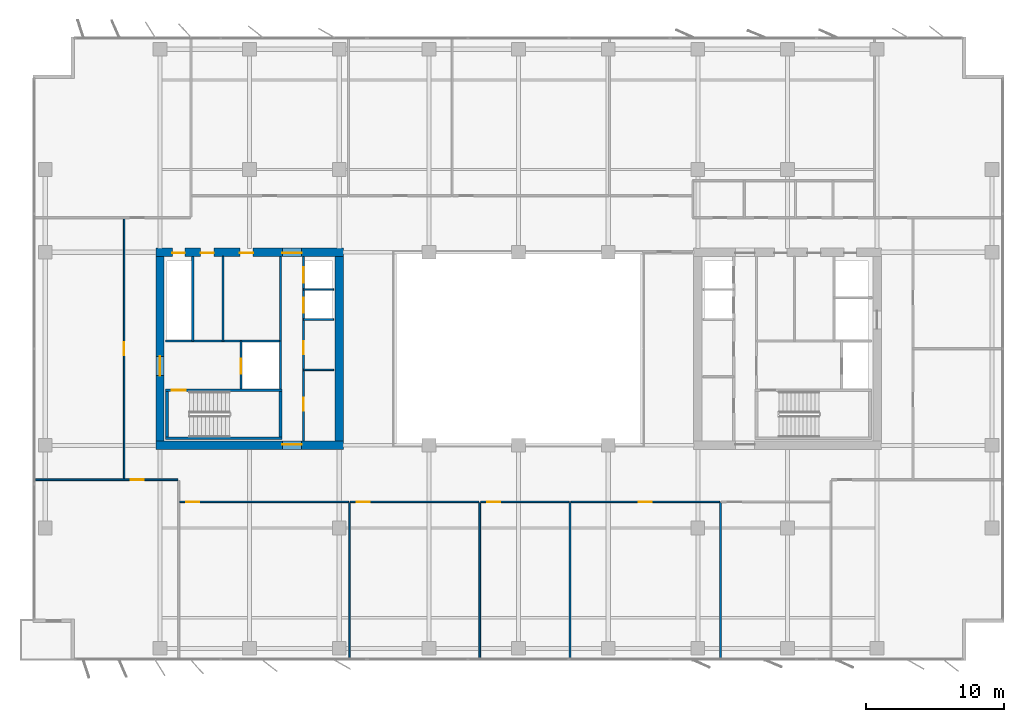
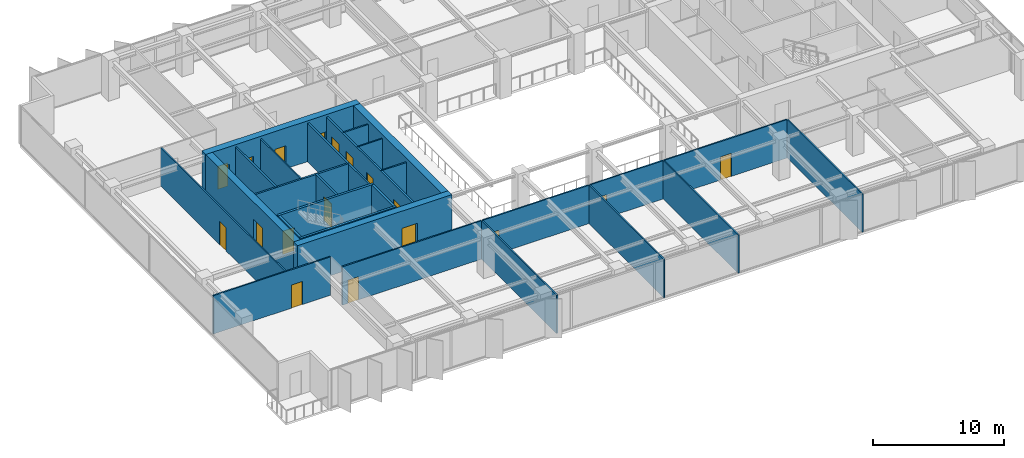
# One storey, part 15 of 22: 28 walls, 18 doors, 18 openings.
"""IFC4 building model written with IfcOpenShell, lengths in metres."""

from ifc_helpers import new_model, si_unit, direction, frame, frame_2d, origin, place, context, subcontext, project, spatial, rectangle, extrude, material, layer, layer_set, type_object, element, fill, save


model = new_model("IFC4")

# Units and contexts
model_context = context("Model", 3, precision=1e-05, world=origin(), true_north=direction((0.0, 1.0)))
body_context = subcontext(model_context, "Body", "Model", "MODEL_VIEW")
ifc_project = project(units=[si_unit("LENGTHUNIT", "METRE"), si_unit("AREAUNIT", "SQUARE_METRE"), si_unit("VOLUMEUNIT", "CUBIC_METRE"), si_unit("PLANEANGLEUNIT", "RADIAN"), si_unit("MASSUNIT", "GRAM", prefix="KILO")], contexts=[model_context])

# Site, building, storey
site_placement = place(None, origin())
site = spatial("IfcSite", under=ifc_project, at=site_placement, CompositionType="ELEMENT")
building_placement = place(site_placement, origin())
building = spatial("IfcBuilding", under=site, at=building_placement, Name="Putna Gate Headquarters", CompositionType="ELEMENT")
storey_placement = place(building_placement, frame((0.0, 0.0, 170.800048828125)))
storey = spatial("IfcBuildingStorey", under=building, at=storey_placement, Name="L42", CompositionType="ELEMENT", Elevation=170.800048828125)

# Wall, opening, door
ifc_material_1 = material(Name="Concrete C50/60", Category="concrete")
ifc_layer_1 = layer(ifc_material_1, 0.60009765625)
ifc_layer_set_1 = layer_set([ifc_layer_1], Name="Concrete C50/60")
wall_type_1 = type_object("IfcWallType", Name="WALL-CORE-600", PredefinedType="SHEAR", material=ifc_layer_set_1)
wall_1_placement = place(storey_placement, frame((12.699951171875, 19.0, 0.0), z_axis=(0.0, 0.0, 1.0), x_axis=(1.0, 0.0, 0.0)))
wall_1 = element("IfcWall", 1, at=wall_1_placement, inside=storey, type_object=wall_type_1, Name="L42 WC Split Core Shear Wall S", PredefinedType="SHEAR", context=body_context, shape_type="SweptSolid", body=[
    extrude(rectangle(XDim=13.60009765625, YDim=0.60009765625, at=frame_2d((6.800048828125, 0.0))), origin(), (0.0, 0.0, 1.0), 3.800048828125),
])
opening_1_placement = place(wall_1_placement, frame((9.179931640625, 0.0, 0.0)))
opening_1 = element("IfcOpeningElement", 2, at=opening_1_placement, cuts=wall_1, Name="Opening FDD-140", PredefinedType="OPENING", context=body_context, shape_type="SweptSolid", body=[
    extrude(rectangle(XDim=1.39990234375, YDim=2.199951171875, at=frame_2d((0.699951171875, 1.10009765625))), frame((0.0, 0.31005859375, 0.0), z_axis=(0.0, -1.0, 0.0), x_axis=(1.0, 0.0, 0.0)), (0.0, 0.0, 1.0), 0.6201171875),
])
ifc_material_2 = material(Name="Double steel fire door", Category="steel")
door_type_1 = type_object("IfcDoorType", Name="DOOR-FIRE-DBL-1400", OperationType="DOUBLE_DOOR_SINGLE_SWING", PredefinedType="DOOR", material=ifc_material_2)
door_1_placement = place(opening_1_placement, origin())
door_1 = element("IfcDoor", 3, at=door_1_placement, inside=storey, type_object=door_type_1, Name="L42 West Lift Lobby South Door", OperationType="DOUBLE_DOOR_SINGLE_SWING", OverallHeight=2.199951171875, OverallWidth=1.39990234375, PredefinedType="DOOR", context=body_context, shape_type="SweptSolid", body=[
    extrude(rectangle(XDim=1.39990234375, YDim=2.199951171875, at=frame_2d((0.699951171875, 1.10009765625))), frame((0.0, 0.0751953125, 0.0), z_axis=(0.0, -1.0, 0.0), x_axis=(1.0, 0.0, 0.0)), (0.0, 0.0, 1.0), 0.050048828125),
])
fill(opening_1, door_1)

# Wall, openings, doors
wall_2_placement = place(storey_placement, frame((12.699951171875, 33.0, 0.0), z_axis=(0.0, 0.0, 1.0), x_axis=(1.0, 0.0, 0.0)))
wall_2 = element("IfcWall", 4, at=wall_2_placement, inside=storey, type_object=wall_type_1, Name="L42 WC Split Core Shear Wall N", PredefinedType="SHEAR", context=body_context, shape_type="SweptSolid", body=[
    extrude(rectangle(XDim=13.60009765625, YDim=0.60009765625, at=frame_2d((6.800048828125, 0.0))), origin(), (0.0, 0.0, 1.0), 3.800048828125),
])
opening_2_placement = place(wall_2_placement, frame((1.199951171875, 0.0, 0.0)))
opening_2 = element("IfcOpeningElement", 5, at=opening_2_placement, cuts=wall_2, Name="Opening RD-90", PredefinedType="OPENING", context=body_context, shape_type="SweptSolid", body=[
    extrude(rectangle(XDim=0.89990234375, YDim=2.14990234375, at=frame_2d((0.449951171875, 1.074951171875))), frame((0.0, 0.31005859375, 0.0), z_axis=(0.0, -1.0, 0.0), x_axis=(1.0, 0.0, 0.0)), (0.0, 0.0, 1.0), 0.6201171875),
])
opening_3_placement = place(wall_2_placement, frame((3.25, 0.0, 0.0)))
opening_3 = element("IfcOpeningElement", 6, at=opening_3_placement, cuts=wall_2, Name="Opening IDS-95", PredefinedType="OPENING", context=body_context, shape_type="SweptSolid", body=[
    extrude(rectangle(XDim=0.949951171875, YDim=2.14990234375, at=frame_2d((0.47509765625, 1.074951171875))), frame((0.0, 0.31005859375, 0.0), z_axis=(0.0, -1.0, 0.0), x_axis=(1.0, 0.0, 0.0)), (0.0, 0.0, 1.0), 0.6201171875),
])
opening_4_placement = place(wall_2_placement, frame((6.10009765625, 0.0, 0.0)))
opening_4 = element("IfcOpeningElement", 7, at=opening_4_placement, cuts=wall_2, Name="Opening IDS-95", PredefinedType="OPENING", context=body_context, shape_type="SweptSolid", body=[
    extrude(rectangle(XDim=0.949951171875, YDim=2.14990234375, at=frame_2d((0.47509765625, 1.074951171875))), frame((0.0, 0.31005859375, 0.0), z_axis=(0.0, -1.0, 0.0), x_axis=(1.0, 0.0, 0.0)), (0.0, 0.0, 1.0), 0.6201171875),
])
opening_5_placement = place(wall_2_placement, frame((9.179931640625, 0.0, 0.0)))
opening_5 = element("IfcOpeningElement", 8, at=opening_5_placement, cuts=wall_2, Name="Opening FDD-140", PredefinedType="OPENING", context=body_context, shape_type="SweptSolid", body=[
    extrude(rectangle(XDim=1.39990234375, YDim=2.199951171875, at=frame_2d((0.699951171875, 1.10009765625))), frame((0.0, 0.31005859375, 0.0), z_axis=(0.0, -1.0, 0.0), x_axis=(1.0, 0.0, 0.0)), (0.0, 0.0, 1.0), 0.6201171875),
])
door_2_placement = place(opening_5_placement, origin())
door_2 = element("IfcDoor", 9, at=door_2_placement, inside=storey, type_object=door_type_1, Name="L42 West Lift Lobby North Door", OperationType="DOUBLE_DOOR_SINGLE_SWING", OverallHeight=2.199951171875, OverallWidth=1.39990234375, PredefinedType="DOOR", context=body_context, shape_type="SweptSolid", body=[
    extrude(rectangle(XDim=1.39990234375, YDim=2.199951171875, at=frame_2d((0.699951171875, 1.10009765625))), frame((0.0, -0.02490234375, 0.0), z_axis=(0.0, -1.0, 0.0), x_axis=(1.0, 0.0, 0.0)), (0.0, 0.0, 1.0), 0.050048828125),
])
fill(opening_5, door_2)
ifc_material_3 = material(Name="Fire-rated service timber door", Category="wood")
door_type_2 = type_object("IfcDoorType", Name="DOOR-INT-950", OperationType="NOTDEFINED", PredefinedType="DOOR", material=ifc_material_3)
door_3_placement = place(opening_3_placement, origin())
door_3 = element("IfcDoor", 10, at=door_3_placement, inside=storey, type_object=door_type_2, Name="L42 Archive Store Door", OperationType="SINGLE_SWING_LEFT", OverallHeight=2.14990234375, OverallWidth=0.949951171875, PredefinedType="DOOR", context=body_context, shape_type="SweptSolid", body=[
    extrude(rectangle(XDim=0.949951171875, YDim=2.14990234375, at=frame_2d((0.47509765625, 1.074951171875))), frame((0.0, -0.02490234375, 0.0), z_axis=(0.0, -1.0, 0.0), x_axis=(1.0, 0.0, 0.0)), (0.0, 0.0, 1.0), 0.050048828125),
])
fill(opening_3, door_3)
door_4_placement = place(opening_4_placement, origin())
door_4 = element("IfcDoor", 11, at=door_4_placement, inside=storey, type_object=door_type_2, Name="L42 Switchgear Plant Door", OperationType="SINGLE_SWING_RIGHT", OverallHeight=2.14990234375, OverallWidth=0.949951171875, PredefinedType="DOOR", context=body_context, shape_type="SweptSolid", body=[
    extrude(rectangle(XDim=0.949951171875, YDim=2.14990234375, at=frame_2d((0.47509765625, 1.074951171875))), frame((0.0, -0.02490234375, 0.0), z_axis=(0.0, -1.0, 0.0), x_axis=(1.0, 0.0, 0.0)), (0.0, 0.0, 1.0), 0.050048828125),
])
fill(opening_4, door_4)
ifc_material_4 = material(Name="Steel riser access fire door", Category="steel")
door_type_3 = type_object("IfcDoorType", Name="DOOR-RISER-900", OperationType="NOTDEFINED", PredefinedType="DOOR", material=ifc_material_4)
door_5_placement = place(opening_2_placement, origin())
door_5 = element("IfcDoor", 12, at=door_5_placement, inside=storey, type_object=door_type_3, Name="L42 West Riser Access Door", OperationType="SINGLE_SWING_RIGHT", OverallHeight=2.14990234375, OverallWidth=0.89990234375, PredefinedType="DOOR", context=body_context, shape_type="SweptSolid", body=[
    extrude(rectangle(XDim=0.89990234375, YDim=2.14990234375, at=frame_2d((0.449951171875, 1.074951171875))), frame((0.0, -0.02490234375, 0.0), z_axis=(0.0, -1.0, 0.0), x_axis=(1.0, 0.0, 0.0)), (0.0, 0.0, 1.0), 0.050048828125),
])
fill(opening_2, door_5)

# Wall, opening, door
wall_3_placement = place(storey_placement, frame((13.0, 19.300048828125, 0.0), z_axis=(0.0, 0.0, 1.0), x_axis=(0.0, 1.0, 0.0)))
wall_3 = element("IfcWall", 13, at=wall_3_placement, inside=storey, type_object=wall_type_1, Name="L42 WC Split Core Shear Wall W", PredefinedType="SHEAR", context=body_context, shape_type="SweptSolid", body=[
    extrude(rectangle(XDim=13.39990234375, YDim=0.60009765625, at=frame_2d((6.699951171875, 0.0))), origin(), (0.0, 0.0, 1.0), 3.800048828125),
])
opening_6_placement = place(wall_3_placement, frame((4.75, 0.0, 0.0)))
opening_6 = element("IfcOpeningElement", 14, at=opening_6_placement, cuts=wall_3, Name="Opening FDD-140", PredefinedType="OPENING", context=body_context, shape_type="SweptSolid", body=[
    extrude(rectangle(XDim=1.39990234375, YDim=2.199951171875, at=frame_2d((0.699951171875, 1.10009765625))), frame((0.0, 0.31005859375, 0.0), z_axis=(0.0, -1.0, 0.0), x_axis=(1.0, 0.0, 0.0)), (0.0, 0.0, 1.0), 0.6201171875),
])
door_6_placement = place(opening_6_placement, origin())
door_6 = element("IfcDoor", 15, at=door_6_placement, inside=storey, type_object=door_type_1, Name="L42 West Firefighting Lobby Door", OperationType="DOUBLE_DOOR_SINGLE_SWING", OverallHeight=2.199951171875, OverallWidth=1.39990234375, PredefinedType="DOOR", context=body_context, shape_type="SweptSolid", body=[
    extrude(rectangle(XDim=1.39990234375, YDim=2.199951171875, at=frame_2d((0.699951171875, 1.10009765625))), frame((0.0, 0.02490234375, 0.0), z_axis=(0.0, -1.0, 0.0), x_axis=(1.0, 0.0, 0.0)), (0.0, 0.0, 1.0), 0.050048828125),
])
fill(opening_6, door_6)

# Walls
wall_4_placement = place(storey_placement, frame((26.0, 19.300048828125, 0.0), z_axis=(0.0, 0.0, 1.0), x_axis=(0.0, 1.0, 0.0)))
element("IfcWall", 16, at=wall_4_placement, inside=storey, type_object=wall_type_1, Name="L42 WC Split Core Shear Wall E", PredefinedType="SHEAR", context=body_context, shape_type="SweptSolid", body=[
    extrude(rectangle(XDim=13.39990234375, YDim=0.60009765625, at=frame_2d((6.699951171875, 0.0))), origin(), (0.0, 0.0, 1.0), 3.800048828125),
])
ifc_material_5 = material(Name="Acoustic gypsum board on metal stud")
ifc_layer_2 = layer(ifc_material_5, 0.1201171875)
ifc_layer_set_2 = layer_set([ifc_layer_2], Name="Acoustic gypsum board on metal stud")
wall_type_2 = type_object("IfcWallType", Name="WALL-PART-120", PredefinedType="PARTITIONING", material=ifc_layer_set_2)
for number, where, z_axis, x_axis, name in (
    (17, (26.736083984375, 3.419921875, 0.0), (0.0, 0.0, 1.0), (0.0, 1.0, 0.0), "L42 Interior Wall PART-L42-SB-DIV-02"),
    (18, (36.19140625, 3.419921875, 0.0), (0.0, 0.0, 1.0), (0.0, 1.0, 0.0), "L42 Interior Wall PART-L42-SB-DIV-03"),
    (19, (42.72607421875, 3.419921875, 0.0), (0.0, 0.0, 1.0), (0.0, 1.0, 0.0), "L42 Interior Wall PART-L42-SB-DIV-04"),
    (20, (53.6455078125, 3.419921875, 0.0), (0.0, 0.0, 1.0), (0.0, 1.0, 0.0), "L42 Interior Wall PART-L42-SB-DIV-05"),
):
    element("IfcWall", number, at=place(storey_placement, frame(where, z_axis=z_axis, x_axis=x_axis)), inside=storey, type_object=wall_type_2, Name=name, PredefinedType="PARTITIONING", context=body_context, shape_type="SweptSolid", body=[
        extrude(rectangle(XDim=11.420166015625, YDim=0.1201171875, at=frame_2d((5.7099609375, 0.0))), origin(), (0.0, 0.0, 1.0), 3.572021484375),
    ])
ifc_material_6 = material(Name="Fire-rated shaftwall gypsum board on metal stud")
ifc_layer_3 = layer(ifc_material_6, 0.1201171875)
ifc_layer_set_3 = layer_set([ifc_layer_3], Name="Fire-rated shaftwall gypsum board on metal stud")
wall_type_3 = type_object("IfcWallType", Name="WALL-PART-120-EI120", PredefinedType="PARTITIONING", material=ifc_layer_set_3)
wall_5_placement = place(storey_placement, frame((23.39990234375, 30.31005859375, 0.0), z_axis=(0.0, 0.0, 1.0), x_axis=(1.0, 0.0, 0.0)))
element("IfcWall", 21, at=wall_5_placement, inside=storey, type_object=wall_type_3, Name="L42 Interior Wall CWINT-L42-WC-LF09-DIV", PredefinedType="PARTITIONING", context=body_context, shape_type="SweptSolid", body=[
    extrude(rectangle(XDim=2.2001953125, YDim=0.1201171875, at=frame_2d((1.10009765625, 0.0))), origin(), (0.0, 0.0, 1.0), 3.572021484375),
])
ifc_material_7 = material(Name="Fire-rated gypsum board on metal stud")
ifc_layer_4 = layer(ifc_material_7, 0.1201171875)
ifc_layer_set_4 = layer_set([ifc_layer_4], Name="Fire-rated gypsum board on metal stud")
wall_type_4 = type_object("IfcWallType", Name="WALL-PART-120-RATED", PredefinedType="PARTITIONING", material=ifc_layer_set_4)
wall_6_placement = place(storey_placement, frame((17.570068359375, 26.56005859375, 0.0), z_axis=(0.0, 0.0, 1.0), x_axis=(0.0, 1.0, 0.0)))
element("IfcWall", 22, at=wall_6_placement, inside=storey, type_object=wall_type_4, Name="L42 Interior Wall CWINT-L42-WC-K1-DIV", PredefinedType="PARTITIONING", context=body_context, shape_type="SweptSolid", body=[
    extrude(rectangle(XDim=6.139892578125, YDim=0.1201171875, at=frame_2d((3.06982421875, 0.0))), origin(), (0.0, 0.0, 1.0), 3.572021484375),
])
for number, where, z_axis, x_axis, name in (
    (23, (23.39990234375, 24.469970703125, 0.0), (0.0, 0.0, 1.0), (1.0, 0.0, 0.0), "L42 Interior Wall CWINT-L42-WC-REUSE-DIV"),
    (24, (23.39990234375, 28.1201171875, 0.0), (0.0, 0.0, 1.0), (1.0, 0.0, 0.0), "L42 Interior Wall CWINT-L42-WC-LF06-DIV"),
):
    element("IfcWall", number, at=place(storey_placement, frame(where, z_axis=z_axis, x_axis=x_axis)), inside=storey, type_object=wall_type_4, Name=name, PredefinedType="PARTITIONING", context=body_context, shape_type="SweptSolid", body=[
        extrude(rectangle(XDim=2.2001953125, YDim=0.1201171875, at=frame_2d((1.10009765625, 0.0))), origin(), (0.0, 0.0, 1.0), 3.572021484375),
    ])

# Wall, opening, door
wall_7_placement = place(storey_placement, frame((3.97998046875, 16.5, 0.0), z_axis=(0.0, 0.0, 1.0), x_axis=(1.0, 0.0, 0.0)))
wall_7 = element("IfcWall", 25, at=wall_7_placement, inside=storey, type_object=wall_type_4, Name="L42 Interior Wall PART-L42-SB-CW-01", PredefinedType="PARTITIONING", context=body_context, shape_type="SweptSolid", body=[
    extrude(rectangle(XDim=10.31982421875, YDim=0.1201171875, at=frame_2d((5.159912109375, 0.0))), origin(), (0.0, 0.0, 1.0), 3.572021484375),
])
opening_7_placement = place(wall_7_placement, frame((6.89990234375, 0.0, 0.0)))
opening_7 = element("IfcOpeningElement", 26, at=opening_7_placement, cuts=wall_7, Name="Opening FD-95", PredefinedType="OPENING", context=body_context, shape_type="SweptSolid", body=[
    extrude(rectangle(XDim=0.949951171875, YDim=2.14990234375, at=frame_2d((0.47509765625, 1.074951171875))), frame((0.0, 0.070068359375, 0.0), z_axis=(0.0, -1.0, 0.0), x_axis=(1.0, 0.0, 0.0)), (0.0, 0.0, 1.0), 0.14013671875),
])
ifc_material_8 = material(Name="Acoustic timber fire door", Category="wood")
door_type_4 = type_object("IfcDoorType", Name="DOOR-FIRE-950", OperationType="NOTDEFINED", PredefinedType="DOOR", material=ifc_material_8)
door_7_placement = place(opening_7_placement, origin())
door_7 = element("IfcDoor", 27, at=door_7_placement, inside=storey, type_object=door_type_4, Name="L42 Cellular Office 3 Door", OperationType="SINGLE_SWING_RIGHT", OverallHeight=2.14990234375, OverallWidth=0.949951171875, PredefinedType="DOOR", context=body_context, shape_type="SweptSolid", body=[
    extrude(rectangle(XDim=0.949951171875, YDim=2.14990234375, at=frame_2d((0.47509765625, 1.074951171875))), frame((0.0, 0.02490234375, 0.0), z_axis=(0.0, -1.0, 0.0), x_axis=(1.0, 0.0, 0.0)), (0.0, 0.0, 1.0), 0.050048828125),
])
fill(opening_7, door_7)

wall_8_placement = place(storey_placement, frame((14.419921875, 14.89990234375, 0.0), z_axis=(0.0, 0.0, 1.0), x_axis=(1.0, 0.0, 0.0)))
wall_8 = element("IfcWall", 28, at=wall_8_placement, inside=storey, type_object=wall_type_4, Name="L42 Interior Wall PART-L42-SB-CW-02", PredefinedType="PARTITIONING", context=body_context, shape_type="SweptSolid", body=[
    extrude(rectangle(XDim=12.256103515625, YDim=0.1201171875, at=frame_2d((6.1279296875, 0.0))), origin(), (0.0, 0.0, 1.0), 3.572021484375),
])
opening_8_placement = place(wall_8_placement, frame((0.47998046875, 0.0, 0.0)))
opening_8 = element("IfcOpeningElement", 29, at=opening_8_placement, cuts=wall_8, Name="Opening FD-95", PredefinedType="OPENING", context=body_context, shape_type="SweptSolid", body=[
    extrude(rectangle(XDim=0.949951171875, YDim=2.14990234375, at=frame_2d((0.47509765625, 1.074951171875))), frame((0.0, 0.070068359375, 0.0), z_axis=(0.0, -1.0, 0.0), x_axis=(1.0, 0.0, 0.0)), (0.0, 0.0, 1.0), 0.14013671875),
])
door_8_placement = place(opening_8_placement, origin())
door_8 = element("IfcDoor", 30, at=door_8_placement, inside=storey, type_object=door_type_4, Name="L42 Conference Meeting Room 3 Door", OperationType="SINGLE_SWING_LEFT", OverallHeight=2.14990234375, OverallWidth=0.949951171875, PredefinedType="DOOR", context=body_context, shape_type="SweptSolid", body=[
    extrude(rectangle(XDim=0.949951171875, YDim=2.14990234375, at=frame_2d((0.47509765625, 1.074951171875))), frame((0.0, 0.02490234375, 0.0), z_axis=(0.0, -1.0, 0.0), x_axis=(1.0, 0.0, 0.0)), (0.0, 0.0, 1.0), 0.050048828125),
])
fill(opening_8, door_8)

wall_9_placement = place(storey_placement, frame((26.7958984375, 14.89990234375, 0.0), z_axis=(0.0, 0.0, 1.0), x_axis=(1.0, 0.0, 0.0)))
wall_9 = element("IfcWall", 31, at=wall_9_placement, inside=storey, type_object=wall_type_4, Name="L42 Interior Wall PART-L42-SB-CW-03", PredefinedType="PARTITIONING", context=body_context, shape_type="SweptSolid", body=[
    extrude(rectangle(XDim=9.33544921875, YDim=0.1201171875, at=frame_2d((4.667724609375, 0.0))), origin(), (0.0, 0.0, 1.0), 3.572021484375),
])
opening_9_placement = place(wall_9_placement, frame((0.47998046875, 0.0, 0.0)))
opening_9 = element("IfcOpeningElement", 32, at=opening_9_placement, cuts=wall_9, Name="Opening FD-95", PredefinedType="OPENING", context=body_context, shape_type="SweptSolid", body=[
    extrude(rectangle(XDim=0.949951171875, YDim=2.14990234375, at=frame_2d((0.47509765625, 1.074951171875))), frame((0.0, 0.070068359375, 0.0), z_axis=(0.0, -1.0, 0.0), x_axis=(1.0, 0.0, 0.0)), (0.0, 0.0, 1.0), 0.14013671875),
])
door_9_placement = place(opening_9_placement, origin())
door_9 = element("IfcDoor", 33, at=door_9_placement, inside=storey, type_object=door_type_4, Name="L42 Conference Meeting Room 4 Door", OperationType="SINGLE_SWING_RIGHT", OverallHeight=2.14990234375, OverallWidth=0.949951171875, PredefinedType="DOOR", context=body_context, shape_type="SweptSolid", body=[
    extrude(rectangle(XDim=0.949951171875, YDim=2.14990234375, at=frame_2d((0.47509765625, 1.074951171875))), frame((0.0, 0.02490234375, 0.0), z_axis=(0.0, -1.0, 0.0), x_axis=(1.0, 0.0, 0.0)), (0.0, 0.0, 1.0), 0.050048828125),
])
fill(opening_9, door_9)

wall_10_placement = place(storey_placement, frame((36.25146484375, 14.89990234375, 0.0), z_axis=(0.0, 0.0, 1.0), x_axis=(1.0, 0.0, 0.0)))
wall_10 = element("IfcWall", 34, at=wall_10_placement, inside=storey, type_object=wall_type_4, Name="L42 Interior Wall PART-L42-SB-CW-04", PredefinedType="PARTITIONING", context=body_context, shape_type="SweptSolid", body=[
    extrude(rectangle(XDim=6.41455078125, YDim=0.1201171875, at=frame_2d((3.207275390625, 0.0))), origin(), (0.0, 0.0, 1.0), 3.572021484375),
])
opening_10_placement = place(wall_10_placement, frame((0.47998046875, 0.0, 0.0)))
opening_10 = element("IfcOpeningElement", 35, at=opening_10_placement, cuts=wall_10, Name="Opening FD-95", PredefinedType="OPENING", context=body_context, shape_type="SweptSolid", body=[
    extrude(rectangle(XDim=0.949951171875, YDim=2.14990234375, at=frame_2d((0.47509765625, 1.074951171875))), frame((0.0, 0.070068359375, 0.0), z_axis=(0.0, -1.0, 0.0), x_axis=(1.0, 0.0, 0.0)), (0.0, 0.0, 1.0), 0.14013671875),
])
door_10_placement = place(opening_10_placement, origin())
door_10 = element("IfcDoor", 36, at=door_10_placement, inside=storey, type_object=door_type_4, Name="L42 Collaborative Breakout Lounge 1 Door", OperationType="SINGLE_SWING_LEFT", OverallHeight=2.14990234375, OverallWidth=0.949951171875, PredefinedType="DOOR", context=body_context, shape_type="SweptSolid", body=[
    extrude(rectangle(XDim=0.949951171875, YDim=2.14990234375, at=frame_2d((0.47509765625, 1.074951171875))), frame((0.0, 0.02490234375, 0.0), z_axis=(0.0, -1.0, 0.0), x_axis=(1.0, 0.0, 0.0)), (0.0, 0.0, 1.0), 0.050048828125),
])
fill(opening_10, door_10)

wall_11_placement = place(storey_placement, frame((42.7861328125, 14.89990234375, 0.0), z_axis=(0.0, 0.0, 1.0), x_axis=(1.0, 0.0, 0.0)))
wall_11 = element("IfcWall", 37, at=wall_11_placement, inside=storey, type_object=wall_type_4, Name="L42 Interior Wall PART-L42-SB-CW-05", PredefinedType="PARTITIONING", context=body_context, shape_type="SweptSolid", body=[
    extrude(rectangle(XDim=10.79931640625, YDim=0.1201171875, at=frame_2d((5.399658203125, 0.0))), origin(), (0.0, 0.0, 1.0), 3.572021484375),
])
opening_11_placement = place(wall_11_placement, frame((4.924560546875, 0.0, 0.0)))
opening_11 = element("IfcOpeningElement", 38, at=opening_11_placement, cuts=wall_11, Name="Opening FD-95", PredefinedType="OPENING", context=body_context, shape_type="SweptSolid", body=[
    extrude(rectangle(XDim=0.949951171875, YDim=2.14990234375, at=frame_2d((0.47509765625, 1.074951171875))), frame((0.0, 0.070068359375, 0.0), z_axis=(0.0, -1.0, 0.0), x_axis=(1.0, 0.0, 0.0)), (0.0, 0.0, 1.0), 0.14013671875),
])
door_11_placement = place(opening_11_placement, origin())
door_11 = element("IfcDoor", 39, at=door_11_placement, inside=storey, type_object=door_type_4, Name="L42 Collaborative Breakout Lounge 2 Door", OperationType="SINGLE_SWING_RIGHT", OverallHeight=2.14990234375, OverallWidth=0.949951171875, PredefinedType="DOOR", context=body_context, shape_type="SweptSolid", body=[
    extrude(rectangle(XDim=0.949951171875, YDim=2.14990234375, at=frame_2d((0.47509765625, 1.074951171875))), frame((0.0, 0.02490234375, 0.0), z_axis=(0.0, -1.0, 0.0), x_axis=(1.0, 0.0, 0.0)), (0.0, 0.0, 1.0), 0.050048828125),
])
fill(opening_11, door_11)

wall_12_placement = place(storey_placement, frame((10.39990234375, 16.5, 0.0), z_axis=(0.0, 0.0, 1.0), x_axis=(0.0, 1.0, 0.0)))
wall_12 = element("IfcWall", 40, at=wall_12_placement, inside=storey, type_object=wall_type_4, Name="L42 Interior Wall PART-L42-WW-CW-1", PredefinedType="PARTITIONING", context=body_context, shape_type="SweptSolid", body=[
    extrude(rectangle(XDim=19.0, YDim=0.1201171875, at=frame_2d((9.5, 0.0))), origin(), (0.0, 0.0, 1.0), 3.572021484375),
])
opening_12_placement = place(wall_12_placement, frame((9.02490234375, 0.0, 0.0)))
opening_12 = element("IfcOpeningElement", 41, at=opening_12_placement, cuts=wall_12, Name="Opening FD-95", PredefinedType="OPENING", context=body_context, shape_type="SweptSolid", body=[
    extrude(rectangle(XDim=0.949951171875, YDim=2.14990234375, at=frame_2d((0.47509765625, 1.074951171875))), frame((0.0, 0.070068359375, 0.0), z_axis=(0.0, -1.0, 0.0), x_axis=(1.0, 0.0, 0.0)), (0.0, 0.0, 1.0), 0.14013671875),
])
door_12_placement = place(opening_12_placement, origin())
door_12 = element("IfcDoor", 42, at=door_12_placement, inside=storey, type_object=door_type_4, Name="L42 West Project Meeting Room 1 Door", OperationType="SINGLE_SWING_LEFT", OverallHeight=2.14990234375, OverallWidth=0.949951171875, PredefinedType="DOOR", context=body_context, shape_type="SweptSolid", body=[
    extrude(rectangle(XDim=0.949951171875, YDim=2.14990234375, at=frame_2d((0.47509765625, 1.074951171875))), frame((0.0, 0.02490234375, 0.0), z_axis=(0.0, -1.0, 0.0), x_axis=(1.0, 0.0, 0.0)), (0.0, 0.0, 1.0), 0.050048828125),
])
fill(opening_12, door_12)

# Wall
ifc_material_9 = material(Name="Concrete C40/50", Category="concrete")
ifc_layer_5 = layer(ifc_material_9, 0.159912109375)
ifc_layer_set_5 = layer_set([ifc_layer_5], Name="Concrete C40/50")
wall_type_5 = type_object("IfcWallType", Name="WALL-SHAFT-160", PredefinedType="STANDARD", material=ifc_layer_set_5)
wall_13_placement = place(storey_placement, frame((21.739990234375, 23.090087890625, 0.0), z_axis=(0.0, 0.0, 1.0), x_axis=(0.0, 1.0, 0.0)))
element("IfcWall", 43, at=wall_13_placement, inside=storey, type_object=wall_type_5, Name="L42 Interior Wall CWINT-L42-WC-FFL-E", PredefinedType="STANDARD", context=body_context, shape_type="SweptSolid", body=[
    extrude(rectangle(XDim=3.469970703125, YDim=0.159912109375, at=frame_2d((1.73486328125, 0.0))), origin(), (0.0, 0.0, 1.0), 3.572021484375),
])

# Wall, opening, door
wall_14_placement = place(storey_placement, frame((18.8798828125, 23.090087890625, 0.0), z_axis=(0.0, 0.0, 1.0), x_axis=(0.0, 1.0, 0.0)))
wall_14 = element("IfcWall", 44, at=wall_14_placement, inside=storey, type_object=wall_type_5, Name="L42 Interior Wall CWINT-L42-WC-LF13-W", PredefinedType="STANDARD", context=body_context, shape_type="SweptSolid", body=[
    extrude(rectangle(XDim=3.469970703125, YDim=0.159912109375, at=frame_2d((1.73486328125, 0.0))), origin(), (0.0, 0.0, 1.0), 3.572021484375),
])
opening_13_placement = place(wall_14_placement, frame((1.10009765625, 0.0, 0.0)))
opening_13 = element("IfcOpeningElement", 45, at=opening_13_placement, cuts=wall_14, Name="Opening LD-1", PredefinedType="OPENING", context=body_context, shape_type="SweptSolid", body=[
    extrude(rectangle(XDim=1.10009765625, YDim=2.199951171875, at=frame_2d((0.550048828125, 1.10009765625))), frame((0.0, 0.08984375, 0.0), z_axis=(0.0, -1.0, 0.0), x_axis=(1.0, 0.0, 0.0)), (0.0, 0.0, 1.0), 0.179931640625),
])
ifc_material_10 = material(Name="Brushed bronze stainless lift landing door")
door_type_5 = type_object("IfcDoorType", Name="DOOR-LIFT-1100", OperationType="DOUBLE_DOOR_SLIDING", PredefinedType="DOOR", material=ifc_material_10)
door_13_placement = place(opening_13_placement, origin())
door_13 = element("IfcDoor", 46, at=door_13_placement, inside=storey, type_object=door_type_5, Name="L42 Lift Landing Door LD-13", OperationType="DOUBLE_DOOR_SLIDING", OverallHeight=2.199951171875, OverallWidth=1.10009765625, PredefinedType="DOOR", context=body_context, shape_type="SweptSolid", body=[
    extrude(rectangle(XDim=1.10009765625, YDim=2.199951171875, at=frame_2d((0.550048828125, 1.10009765625))), frame((0.0, 0.02490234375, 0.0), z_axis=(0.0, -1.0, 0.0), x_axis=(1.0, 0.0, 0.0)), (0.0, 0.0, 1.0), 0.050048828125),
])
fill(opening_13, door_13)

# Walls
wall_15_placement = place(storey_placement, frame((13.39990234375, 26.56005859375, 0.0), z_axis=(0.0, 0.0, 1.0), x_axis=(1.0, 0.0, 0.0)))
element("IfcWall", 47, at=wall_15_placement, inside=storey, type_object=wall_type_5, Name="L42 Interior Wall CWINT-L42-WC-FFL-N", PredefinedType="STANDARD", context=body_context, shape_type="SweptSolid", body=[
    extrude(rectangle(XDim=8.340087890625, YDim=0.159912109375, at=frame_2d((4.169921875, 0.0))), origin(), (0.0, 0.0, 1.0), 3.572021484375),
])
for number, where, z_axis, x_axis, name in (
    (48, (15.3798828125, 26.56005859375, 0.0), (0.0, 0.0, 1.0), (0.0, 1.0, 0.0), "L42 Interior Wall CWINT-L42-WC-RISER-E"),
    (49, (21.739990234375, 26.56005859375, 0.0), (0.0, 0.0, 1.0), (0.0, 1.0, 0.0), "L42 Interior Wall CWINT-L42-WC-LOB-W"),
):
    element("IfcWall", number, at=place(storey_placement, frame(where, z_axis=z_axis, x_axis=x_axis)), inside=storey, type_object=wall_type_5, Name=name, PredefinedType="STANDARD", context=body_context, shape_type="SweptSolid", body=[
        extrude(rectangle(XDim=6.139892578125, YDim=0.159912109375, at=frame_2d((3.06982421875, 0.0))), origin(), (0.0, 0.0, 1.0), 3.572021484375),
    ])

# Wall, openings, doors
wall_16_placement = place(storey_placement, frame((23.39990234375, 19.300048828125, 0.0), z_axis=(0.0, 0.0, 1.0), x_axis=(0.0, 1.0, 0.0)))
wall_16 = element("IfcWall", 50, at=wall_16_placement, inside=storey, type_object=wall_type_5, Name="L42 Interior Wall CWINT-L42-WC-PL-WALL", PredefinedType="STANDARD", context=body_context, shape_type="SweptSolid", body=[
    extrude(rectangle(XDim=13.39990234375, YDim=0.159912109375, at=frame_2d((6.699951171875, 0.0))), origin(), (0.0, 0.0, 1.0), 3.572021484375),
])
opening_14_placement = place(wall_16_placement, frame((2.199951171875, 0.0, 0.0)))
opening_14 = element("IfcOpeningElement", 51, at=opening_14_placement, cuts=wall_16, Name="Opening IDS-95", PredefinedType="OPENING", context=body_context, shape_type="SweptSolid", body=[
    extrude(rectangle(XDim=0.949951171875, YDim=2.14990234375, at=frame_2d((0.47509765625, 1.074951171875))), frame((0.0, 0.08984375, 0.0), z_axis=(0.0, -1.0, 0.0), x_axis=(1.0, 0.0, 0.0)), (0.0, 0.0, 1.0), 0.179931640625),
])
opening_15_placement = place(wall_16_placement, frame((6.300048828125, 0.0, 0.0)))
opening_15 = element("IfcOpeningElement", 52, at=opening_15_placement, cuts=wall_16, Name="Opening IDS-95", PredefinedType="OPENING", context=body_context, shape_type="SweptSolid", body=[
    extrude(rectangle(XDim=0.949951171875, YDim=2.14990234375, at=frame_2d((0.47509765625, 1.074951171875))), frame((0.0, 0.08984375, 0.0), z_axis=(0.0, -1.0, 0.0), x_axis=(1.0, 0.0, 0.0)), (0.0, 0.0, 1.0), 0.179931640625),
])
opening_16_placement = place(wall_16_placement, frame((9.300048828125, 0.0, 0.0)))
opening_16 = element("IfcOpeningElement", 53, at=opening_16_placement, cuts=wall_16, Name="Opening LD-1", PredefinedType="OPENING", context=body_context, shape_type="SweptSolid", body=[
    extrude(rectangle(XDim=1.10009765625, YDim=2.199951171875, at=frame_2d((0.550048828125, 1.10009765625))), frame((0.0, 0.08984375, 0.0), z_axis=(0.0, -1.0, 0.0), x_axis=(1.0, 0.0, 0.0)), (0.0, 0.0, 1.0), 0.179931640625),
])
opening_17_placement = place(wall_16_placement, frame((11.5, 0.0, 0.0)))
opening_17 = element("IfcOpeningElement", 54, at=opening_17_placement, cuts=wall_16, Name="Opening LD-1", PredefinedType="OPENING", context=body_context, shape_type="SweptSolid", body=[
    extrude(rectangle(XDim=1.10009765625, YDim=2.199951171875, at=frame_2d((0.550048828125, 1.10009765625))), frame((0.0, 0.08984375, 0.0), z_axis=(0.0, -1.0, 0.0), x_axis=(1.0, 0.0, 0.0)), (0.0, 0.0, 1.0), 0.179931640625),
])
door_14_placement = place(opening_14_placement, origin())
door_14 = element("IfcDoor", 55, at=door_14_placement, inside=storey, type_object=door_type_2, Name="L42 Tenant IT Hub Door", OperationType="SINGLE_SWING_LEFT", OverallHeight=2.14990234375, OverallWidth=0.949951171875, PredefinedType="DOOR", context=body_context, shape_type="SweptSolid", body=[
    extrude(rectangle(XDim=0.949951171875, YDim=2.14990234375, at=frame_2d((0.47509765625, 1.074951171875))), frame((0.0, 0.02490234375, 0.0), z_axis=(0.0, -1.0, 0.0), x_axis=(1.0, 0.0, 0.0)), (0.0, 0.0, 1.0), 0.050048828125),
])
fill(opening_14, door_14)
door_15_placement = place(opening_15_placement, origin())
door_15 = element("IfcDoor", 56, at=door_15_placement, inside=storey, type_object=door_type_2, Name="L42 Records Vault Door", OperationType="SINGLE_SWING_RIGHT", OverallHeight=2.14990234375, OverallWidth=0.949951171875, PredefinedType="DOOR", context=body_context, shape_type="SweptSolid", body=[
    extrude(rectangle(XDim=0.949951171875, YDim=2.14990234375, at=frame_2d((0.47509765625, 1.074951171875))), frame((0.0, 0.02490234375, 0.0), z_axis=(0.0, -1.0, 0.0), x_axis=(1.0, 0.0, 0.0)), (0.0, 0.0, 1.0), 0.050048828125),
])
fill(opening_15, door_15)
door_16_placement = place(opening_16_placement, origin())
door_16 = element("IfcDoor", 57, at=door_16_placement, inside=storey, type_object=door_type_5, Name="L42 Lift Landing Door LD-09", OperationType="DOUBLE_DOOR_SLIDING", OverallHeight=2.199951171875, OverallWidth=1.10009765625, PredefinedType="DOOR", context=body_context, shape_type="SweptSolid", body=[
    extrude(rectangle(XDim=1.10009765625, YDim=2.199951171875, at=frame_2d((0.550048828125, 1.10009765625))), frame((0.0, 0.02490234375, 0.0), z_axis=(0.0, -1.0, 0.0), x_axis=(1.0, 0.0, 0.0)), (0.0, 0.0, 1.0), 0.050048828125),
])
fill(opening_16, door_16)
door_17_placement = place(opening_17_placement, origin())
door_17 = element("IfcDoor", 58, at=door_17_placement, inside=storey, type_object=door_type_5, Name="L42 Lift Landing Door LD-10", OperationType="DOUBLE_DOOR_SLIDING", OverallHeight=2.199951171875, OverallWidth=1.10009765625, PredefinedType="DOOR", context=body_context, shape_type="SweptSolid", body=[
    extrude(rectangle(XDim=1.10009765625, YDim=2.199951171875, at=frame_2d((0.550048828125, 1.10009765625))), frame((0.0, 0.02490234375, 0.0), z_axis=(0.0, -1.0, 0.0), x_axis=(1.0, 0.0, 0.0)), (0.0, 0.0, 1.0), 0.050048828125),
])
fill(opening_17, door_17)

# Wall
ifc_layer_6 = layer(ifc_material_9, 0.199951171875)
ifc_layer_set_6 = layer_set([ifc_layer_6], Name="Concrete C40/50")
wall_type_6 = type_object("IfcWallType", Name="WALL-SHAFT-RC200", PredefinedType="SHEAR", material=ifc_layer_set_6)
wall_17_placement = place(storey_placement, frame((13.409912109375, 19.510009765625, 0.0), z_axis=(0.0, 0.0, 1.0), x_axis=(1.0, 0.0, 0.0)))
element("IfcWall", 59, at=wall_17_placement, inside=storey, type_object=wall_type_6, Name="L42 Stair ST1 Structural Shaft Wall S", PredefinedType="SHEAR", context=body_context, shape_type="SweptSolid", body=[
    extrude(rectangle(XDim=8.43017578125, YDim=0.199951171875, at=frame_2d((4.215087890625, 0.0))), origin(), (0.0, 0.0, 1.0), 3.800048828125),
])

# Wall, opening, door
wall_18_placement = place(storey_placement, frame((13.409912109375, 22.989990234375, 0.0), z_axis=(0.0, 0.0, 1.0), x_axis=(1.0, 0.0, 0.0)))
wall_18 = element("IfcWall", 60, at=wall_18_placement, inside=storey, type_object=wall_type_6, Name="L42 Stair ST1 Structural Shaft Wall N", PredefinedType="SHEAR", context=body_context, shape_type="SweptSolid", body=[
    extrude(rectangle(XDim=8.43017578125, YDim=0.199951171875, at=frame_2d((4.215087890625, 0.0))), origin(), (0.0, 0.0, 1.0), 3.800048828125),
])
opening_18_placement = place(wall_18_placement, frame((0.449951171875, 0.0, 0.0)))
opening_18 = element("IfcOpeningElement", 61, at=opening_18_placement, cuts=wall_18, Name="Opening FD-100", PredefinedType="OPENING", context=body_context, shape_type="SweptSolid", body=[
    extrude(rectangle(XDim=1.0, YDim=2.14990234375, at=frame_2d((0.5, 1.074951171875))), frame((0.0, 0.10986328125, 0.0), z_axis=(0.0, -1.0, 0.0), x_axis=(1.0, 0.0, 0.0)), (0.0, 0.0, 1.0), 0.219970703125),
])
ifc_material_11 = material(Name="Powder-coated steel fire door", Category="steel")
door_type_6 = type_object("IfcDoorType", Name="DOOR-FIRE-1000", OperationType="NOTDEFINED", PredefinedType="DOOR", material=ifc_material_11)
door_18_placement = place(opening_18_placement, origin())
door_18 = element("IfcDoor", 62, at=door_18_placement, inside=storey, type_object=door_type_6, Name="L42 Stair ST1 Fire Door", OperationType="SINGLE_SWING_LEFT", OverallHeight=2.14990234375, OverallWidth=1.0, PredefinedType="DOOR", context=body_context, shape_type="SweptSolid", body=[
    extrude(rectangle(XDim=1.0, YDim=2.14990234375, at=frame_2d((0.5, 1.074951171875))), frame((0.0, 0.02490234375, 0.0), z_axis=(0.0, -1.0, 0.0), x_axis=(1.0, 0.0, 0.0)), (0.0, 0.0, 1.0), 0.050048828125),
])
fill(opening_18, door_18)

# Walls
for number, where, z_axis, x_axis, name in (
    (63, (13.510009765625, 19.610107421875, 0.0), (0.0, 0.0, 1.0), (0.0, 1.0, 0.0), "L42 Stair ST1 Structural Shaft Wall W"),
    (64, (21.739990234375, 19.610107421875, 0.0), (0.0, 0.0, 1.0), (0.0, 1.0, 0.0), "L42 Stair ST1 Structural Shaft Wall E"),
):
    element("IfcWall", number, at=place(storey_placement, frame(where, z_axis=z_axis, x_axis=x_axis)), inside=storey, type_object=wall_type_6, Name=name, PredefinedType="SHEAR", context=body_context, shape_type="SweptSolid", body=[
        extrude(rectangle(XDim=3.27978515625, YDim=0.199951171875, at=frame_2d((1.639892578125, 0.0))), origin(), (0.0, 0.0, 1.0), 3.800048828125),
    ])

save(model, "model.ifc")
